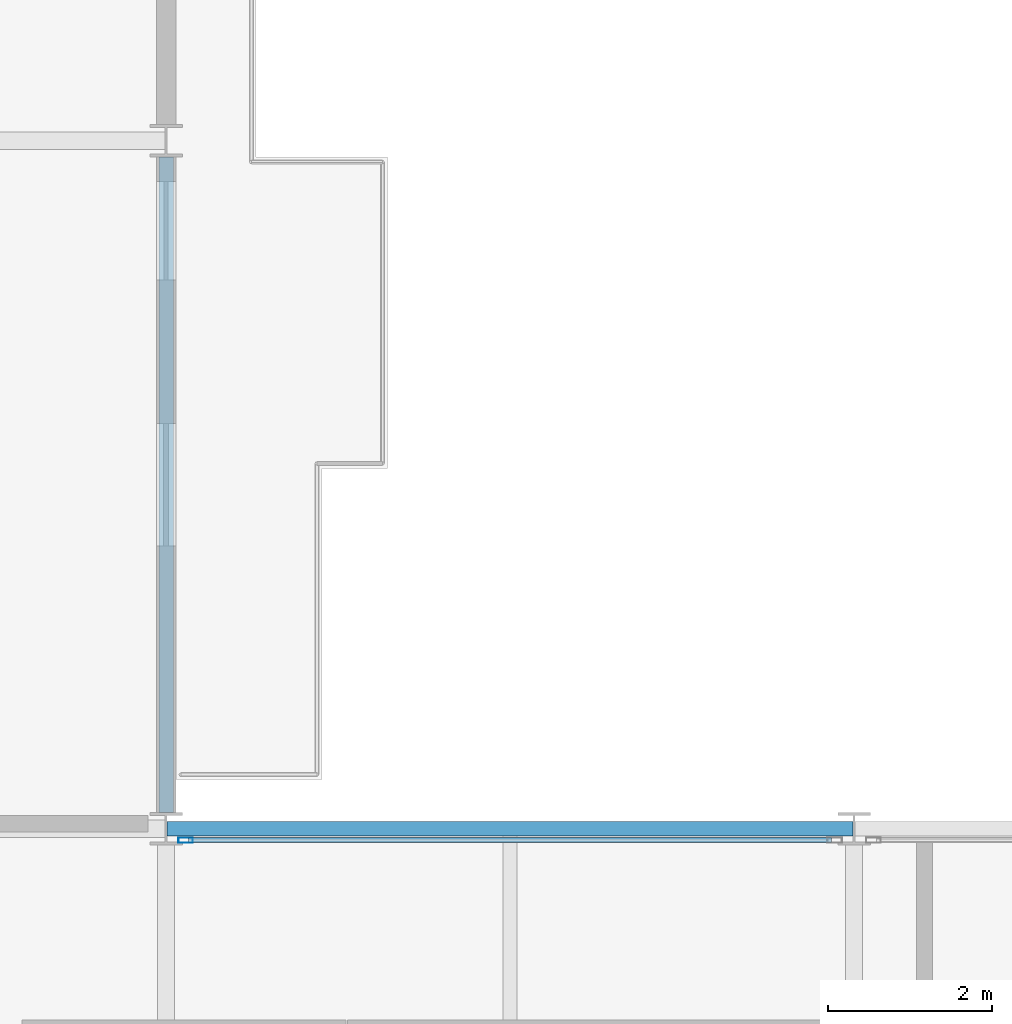
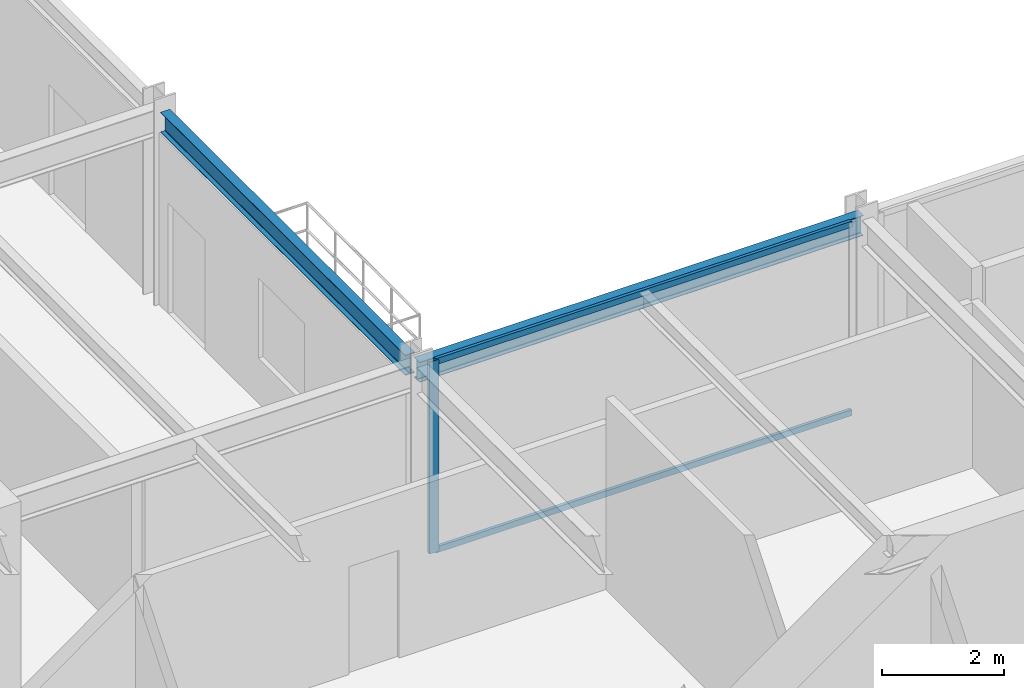
# One storey, part 12 of 29: 3 members, 2 beams, 1 element without a shape of its own.
"""IFC4 building model written with IfcOpenShell, lengths in metres."""

from ifc_helpers import new_model, si_unit, direction, frame, origin, origin_2d, place, context, subcontext, project, spatial, hollow_rectangle, i_section, extrude, material, layer, layer_set, material_profile, profile_set, type_object, element, aggregate, save


model = new_model("IFC4")

# Units and contexts
model_context = context("Model", 3, precision=1e-05, world=origin(), true_north=direction((0.0, 1.0)))
body_context = subcontext(model_context, "Body", "Model", "MODEL_VIEW")
ifc_project = project(units=[si_unit("LENGTHUNIT", "METRE"), si_unit("AREAUNIT", "SQUARE_METRE"), si_unit("VOLUMEUNIT", "CUBIC_METRE"), si_unit("PLANEANGLEUNIT", "RADIAN"), si_unit("MASSUNIT", "GRAM", prefix="KILO")], contexts=[model_context])

# Site, building, storey
site_placement = place(None, origin())
site = spatial("IfcSite", under=ifc_project, at=site_placement, CompositionType="ELEMENT")
building_placement = place(site_placement, origin())
building = spatial("IfcBuilding", under=site, at=building_placement, Name="Nerrivon Quay Data Exchange", CompositionType="ELEMENT")
storey_placement = place(building_placement, frame((0.0, 0.0, 145.89990234375)))
storey = spatial("IfcBuildingStorey", under=building, at=storey_placement, Name="L34", CompositionType="ELEMENT", Elevation=145.89990234375)

# Beams
ifc_material_1 = material(Name="Steel Grade 350", Category="steel")
ifc_material_profile_1 = material_profile(ifc_material_1, i_section(OverallWidth=0.177978515625, OverallDepth=0.403076171875, WebThickness=0.007568359375, FlangeThickness=0.010986328125, FilletRadius=0.011474609375, at=origin_2d()), Name="410UB53.7")
ifc_profile_set_1 = profile_set([ifc_material_profile_1], Name="Steel Grade 350")
beam_type = type_object("IfcBeamType", Name="BM-SP2-410UB54", PredefinedType="SPANDREL", material=ifc_profile_set_1)
beam_1_placement = place(storey_placement, frame((25.21240234375, 25.199951171875, 3.62353515625), z_axis=(1.0, 0.0, 0.0), x_axis=(0.0, 1.0, 0.0)))
element("IfcBeam", 1, at=beam_1_placement, inside=storey, type_object=beam_type, Name="L34 EW Girder Y=25.2 (25.2..33.6)", PredefinedType="SPANDREL", context=body_context, shape_type="SweptSolid", body=[
    extrude(i_section(OverallWidth=0.177978515625, OverallDepth=0.403076171875, WebThickness=0.007568359375, FlangeThickness=0.010986328125, FilletRadius=0.011474609375, at=origin_2d()), origin(), (0.0, 0.0, 1.0), 8.375),
])
beam_2_placement = place(storey_placement, frame((25.199951171875, 25.39990234375, 3.62353515625), z_axis=(0.0, 1.0, 0.0), x_axis=(-1.0, 0.0, 0.0)))
element("IfcBeam", 2, at=beam_2_placement, inside=storey, type_object=beam_type, Name="L34 NS Girder X=25.2 (25.2..33.6)", PredefinedType="SPANDREL", context=body_context, shape_type="SweptSolid", body=[
    extrude(i_section(OverallWidth=0.177978515625, OverallDepth=0.403076171875, WebThickness=0.007568359375, FlangeThickness=0.010986328125, FilletRadius=0.011474609375, at=origin_2d()), origin(), (0.0, 0.0, 1.0), 8.0),
])

# Curtain wall, members
ifc_material_2 = material(Name="Anodised aluminium 6063-T6", Category="aluminium")
ifc_layer = layer(ifc_material_2, 0.2099609375)
ifc_layer_set = layer_set([ifc_layer], Name="Anodised aluminium 6063-T6")
curtain_wall_type = type_object("IfcCurtainWallType", Name="CW-SYS-02", PredefinedType="NOTDEFINED", material=ifc_layer_set)
curtain_wall_placement = place(storey_placement, origin())
curtain_wall = element("IfcCurtainWall", 3, at=curtain_wall_placement, inside=storey, type_object=curtain_wall_type, Name="L34 Unitised Curtain Wall 26", PredefinedType="NOTDEFINED")
ifc_material_profile_2 = material_profile(ifc_material_2, hollow_rectangle(XDim=0.06494140625, YDim=0.179931640625, WallThickness=0.00341796875, at=origin_2d()), Name="ALU-MULL-180x65")
ifc_profile_set_2 = profile_set([ifc_material_profile_2], Name="Anodised aluminium 6063-T6")
member_type_1 = type_object("IfcMemberType", Name="CWM-180x65", PredefinedType="MULLION", material=ifc_profile_set_2)
member_1_placement = place(storey_placement, frame((25.4375, 25.06005859375, 0.0), z_axis=(0.0, 0.0, 1.0), x_axis=(0.0, 1.0, 0.0)))
member_1 = element("IfcMember", 4, at=member_1_placement, type_object=member_type_1, Name="CW02 mullion 1", PredefinedType="MULLION", context=body_context, shape_type="SweptSolid", body=[
    extrude(hollow_rectangle(XDim=0.06494140625, YDim=0.179931640625, WallThickness=0.00341796875, at=origin_2d()), origin(), (0.0, 0.0, 1.0), 3.8251953125),
])
ifc_material_profile_3 = material_profile(ifc_material_2, hollow_rectangle(XDim=0.06005859375, YDim=0.1201171875, WallThickness=0.003173828125, at=origin_2d()), Name="ALU-TRAN-120x60")
ifc_profile_set_3 = profile_set([ifc_material_profile_3], Name="Anodised aluminium 6063-T6")
member_type_2 = type_object("IfcMemberType", Name="CWT-120x60", PredefinedType="USERDEFINED", material=ifc_profile_set_3)
member_2_placement = place(storey_placement, frame((25.47509765625, 25.06005859375, 0.03271484375), z_axis=(1.0, 0.0, 0.0), x_axis=(0.0, 1.0, 0.0)))
member_2 = element("IfcMember", 5, at=member_2_placement, type_object=member_type_2, Name="CW02 transom 1.1", ObjectType="TRANSOM", PredefinedType="USERDEFINED", context=body_context, shape_type="SweptSolid", body=[
    extrude(hollow_rectangle(XDim=0.06005859375, YDim=0.1201171875, WallThickness=0.003173828125, at=origin_2d()), origin(), (0.0, 0.0, 1.0), 7.849853515625),
])
member_3_placement = place(storey_placement, frame((25.47509765625, 25.06005859375, 3.79248046875), z_axis=(1.0, 0.0, 0.0), x_axis=(0.0, 1.0, 0.0)))
member_3 = element("IfcMember", 6, at=member_3_placement, type_object=member_type_2, Name="CW02 transom 1.2", ObjectType="TRANSOM", PredefinedType="USERDEFINED", context=body_context, shape_type="SweptSolid", body=[
    extrude(hollow_rectangle(XDim=0.06005859375, YDim=0.1201171875, WallThickness=0.003173828125, at=origin_2d()), origin(), (0.0, 0.0, 1.0), 7.849853515625),
])
aggregate(curtain_wall, [member_1, member_2, member_3])

save(model, "model.ifc")
